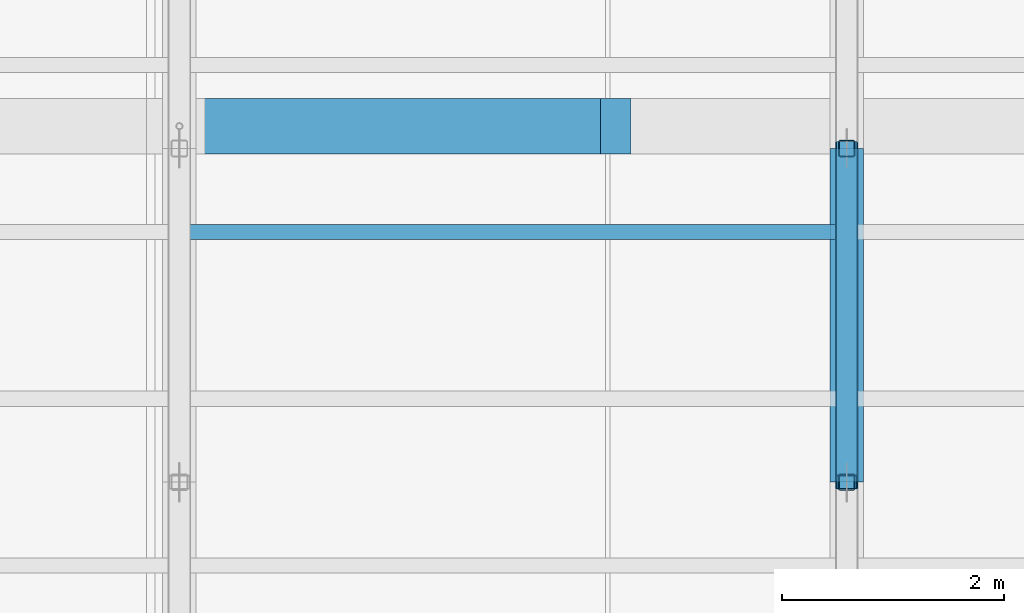
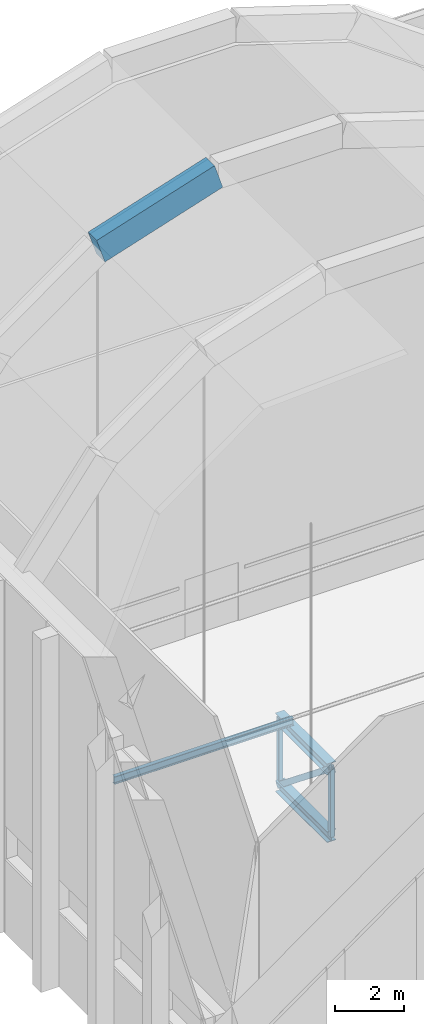
# One storey, part 21 of 55: 5 members, 2 beams.
"""IFC4 building model written with IfcOpenShell, lengths in metres."""

from ifc_helpers import new_model, si_unit, direction, frame, origin, origin_2d, place, context, subcontext, project, spatial, rectangle, hollow_rectangle, i_section, extrude, material, material_profile, profile_set, type_object, element, save


model = new_model("IFC4")

# Units and contexts
model_context = context("Model", 3, precision=1e-05, world=origin(), true_north=direction((0.0, 1.0)))
body_context = subcontext(model_context, "Body", "Model", "MODEL_VIEW")
ifc_project = project(units=[si_unit("LENGTHUNIT", "METRE"), si_unit("AREAUNIT", "SQUARE_METRE"), si_unit("VOLUMEUNIT", "CUBIC_METRE"), si_unit("PLANEANGLEUNIT", "RADIAN"), si_unit("MASSUNIT", "GRAM", prefix="KILO")], contexts=[model_context])

# Site, building, storey
site_placement = place(None, origin())
site = spatial("IfcSite", under=ifc_project, at=site_placement, CompositionType="ELEMENT")
building_placement = place(site_placement, origin())
building = spatial("IfcBuilding", under=site, at=building_placement, Name="Lunette Opera House", CompositionType="ELEMENT")
storey_placement = place(building_placement, frame((0.0, 0.0, 34.0)))
storey = spatial("IfcBuildingStorey", under=building, at=storey_placement, Name="L06", CompositionType="ELEMENT", Elevation=34.0)

# Beam
ifc_material_1 = material(Name="Concrete C40/50", Category="concrete")
ifc_material_profile_1 = material_profile(ifc_material_1, rectangle(XDim=0.5, YDim=0.89990234375, at=origin_2d()), Name="ARCH BEAM 500X900")
ifc_profile_set_1 = profile_set([ifc_material_profile_1], Name="Concrete C40/50")
beam_type_1 = type_object("IfcBeamType", Name="ARCH BEAM 500X900", PredefinedType="BEAM", material=ifc_profile_set_1)
beam_1_placement = place(storey_placement, frame((89.968994140625, 114.199951171875, 17.98193359375), z_axis=(0.952116578893, 0.0, 0.305735212556), x_axis=(0.0, 1.0, 0.0)))
element("IfcBeam", 1, at=beam_1_placement, inside=storey, type_object=beam_type_1, Name="beam-ST-L06-EAT4-3", PredefinedType="BEAM", context=body_context, shape_type="SweptSolid", body=[
    extrude(rectangle(XDim=0.5, YDim=0.89990234375, at=origin_2d()), origin(), (0.0, 0.0, 1.0), 4.154052734375),
])

# Members
ifc_material_2 = material(Name="Steel S355", Category="steel")
ifc_material_profile_2 = material_profile(ifc_material_2, i_section(OverallWidth=0.300048828125, OverallDepth=0.389892578125, WebThickness=0.010986328125, FlangeThickness=0.01904296875, FilletRadius=0.027099609375, at=origin_2d()), Name="HEA 400")
ifc_profile_set_2 = profile_set([ifc_material_profile_2], Name="Steel S355")
member_type_1 = type_object("IfcMemberType", Name="CHORD HEA 400", PredefinedType="CHORD", material=ifc_profile_set_2)
for number, where, z_axis, x_axis, name in (
    (2, (96.0, 111.0, -0.6650390625), (0.0, 1.0, 0.0), (-1.0, 0.0, 0.0), "mem-ST-L06-ST-TR02-TC6"),
    (3, (96.0, 111.0, -3.06494140625), (0.0, 1.0, 0.0), (-1.0, 0.0, 0.0), "mem-ST-L06-ST-TR02-BC6"),
):
    element("IfcMember", number, at=place(storey_placement, frame(where, z_axis=z_axis, x_axis=x_axis)), inside=storey, type_object=member_type_1, Name=name, PredefinedType="CHORD", context=body_context, shape_type="SweptSolid", body=[
        extrude(i_section(OverallWidth=0.300048828125, OverallDepth=0.389892578125, WebThickness=0.010986328125, FlangeThickness=0.01904296875, FilletRadius=0.027099609375, at=origin_2d()), origin(), (0.0, 0.0, 1.0), 3.0),
    ])
ifc_material_3 = material(Name="Steel S355", Category="steel")
ifc_material_profile_3 = material_profile(ifc_material_3, hollow_rectangle(XDim=0.199951171875, YDim=0.199951171875, WallThickness=0.008056640625, InnerFilletRadius=0.008056640625, OuterFilletRadius=0.01611328125, at=origin_2d()), Name="RHS 200X200X8")
ifc_profile_set_3 = profile_set([ifc_material_profile_3], Name="Steel S355")
member_type_2 = type_object("IfcMemberType", Name="DIAGONAL RHS 200X200X8", PredefinedType="BRACE", material=ifc_profile_set_3)
member_placement = place(storey_placement, frame((96.0, 111.0, -0.6650390625), z_axis=(0.0, 0.780881208953, -0.624679547852), x_axis=(-1.0, 0.0, 0.0)))
element("IfcMember", 4, at=member_placement, inside=storey, type_object=member_type_2, Name="mem-ST-L06-ST-TR02-TD6", PredefinedType="BRACE", context=body_context, shape_type="SweptSolid", body=[
    extrude(hollow_rectangle(XDim=0.199951171875, YDim=0.199951171875, WallThickness=0.008056640625, InnerFilletRadius=0.008056640625, OuterFilletRadius=0.01611328125, at=origin_2d()), origin(), (0.0, 0.0, 1.0), 3.841796875),
])

# Beam
ifc_material_4 = material(Name="Steel S355", Category="steel")
ifc_material_profile_4 = material_profile(ifc_material_4, i_section(OverallWidth=0.135009765625, OverallDepth=0.27001953125, WebThickness=0.006591796875, FlangeThickness=0.01025390625, FilletRadius=0.014892578125, at=origin_2d()), Name="IPE 270")
ifc_profile_set_4 = profile_set([ifc_material_profile_4], Name="Steel S355")
beam_type_2 = type_object("IfcBeamType", Name="STEEL BEAM IPE 270", PredefinedType="BEAM", material=ifc_profile_set_4)
beam_2_placement = place(storey_placement, frame((90.0, 113.25, -0.3349609375), z_axis=(1.0, 0.0, 0.0), x_axis=(0.0, 1.0, 0.0)))
element("IfcBeam", 5, at=beam_2_placement, inside=storey, type_object=beam_type_2, Name="beam-ST-L06-GRID-11325-2", PredefinedType="BEAM", context=body_context, shape_type="SweptSolid", body=[
    extrude(i_section(OverallWidth=0.135009765625, OverallDepth=0.27001953125, WebThickness=0.006591796875, FlangeThickness=0.01025390625, FilletRadius=0.014892578125, at=origin_2d()), origin(), (0.0, 0.0, 1.0), 6.0),
])

# Members
ifc_material_5 = material(Name="Steel S355", Category="steel")
ifc_material_profile_5 = material_profile(ifc_material_5, hollow_rectangle(XDim=0.14990234375, YDim=0.14990234375, WallThickness=0.008056640625, InnerFilletRadius=0.008056640625, OuterFilletRadius=0.01611328125, at=origin_2d()), Name="RHS 150X150X8")
ifc_profile_set_5 = profile_set([ifc_material_profile_5], Name="Steel S355")
member_type_3 = type_object("IfcMemberType", Name="VERTICAL RHS 150X150X8", PredefinedType="POST", material=ifc_profile_set_5)
for number, where, z_axis, x_axis, name in (
    (6, (96.0, 111.0, -3.06494140625), (0.0, 0.0, 1.0), (1.0, 0.0, 0.0), "mem-ST-L06-ST-TR02-TV6"),
    (7, (96.0, 114.0, -3.06494140625), (0.0, 0.0, 1.0), (1.0, 0.0, 0.0), "mem-ST-L06-ST-TR02-TV7"),
):
    element("IfcMember", number, at=place(storey_placement, frame(where, z_axis=z_axis, x_axis=x_axis)), inside=storey, type_object=member_type_3, Name=name, PredefinedType="POST", context=body_context, shape_type="SweptSolid", body=[
        extrude(hollow_rectangle(XDim=0.14990234375, YDim=0.14990234375, WallThickness=0.008056640625, InnerFilletRadius=0.008056640625, OuterFilletRadius=0.01611328125, at=origin_2d()), origin(), (0.0, 0.0, 1.0), 2.39990234375),
    ])

save(model, "model.ifc")
